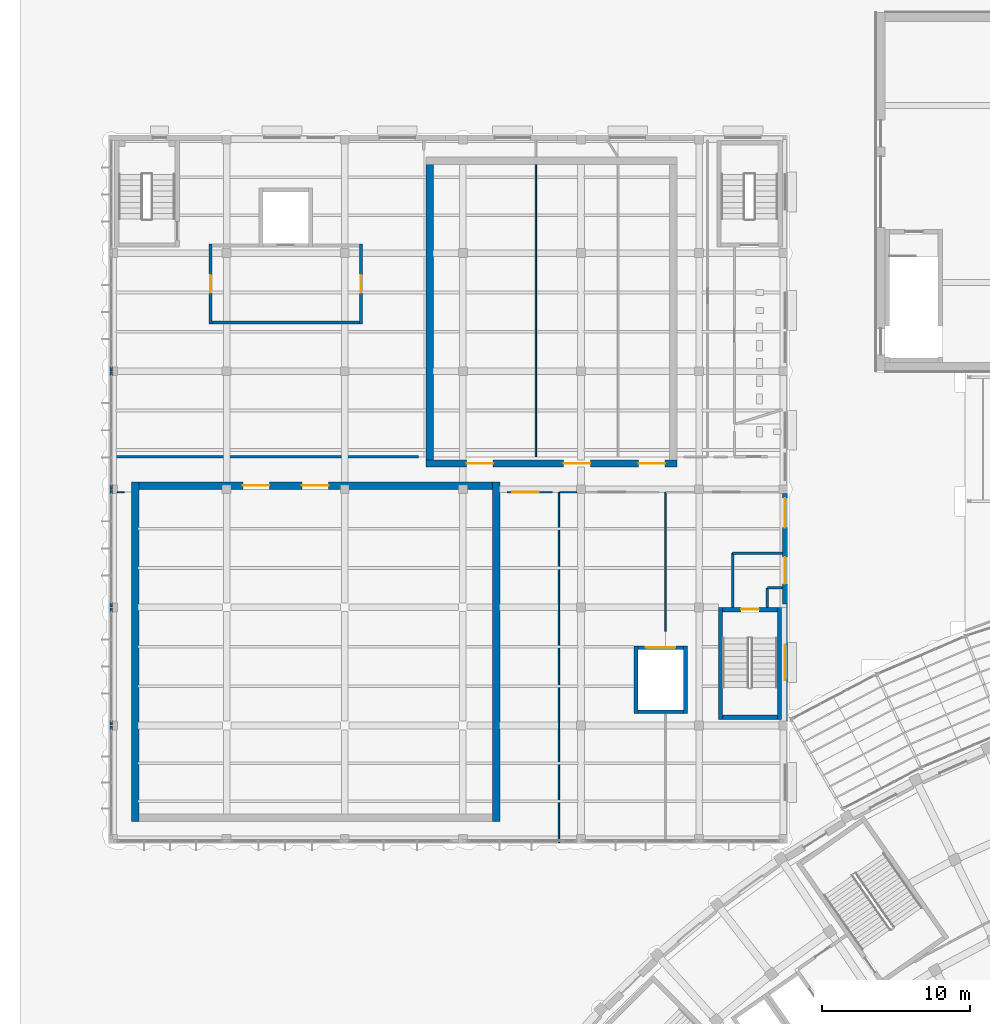
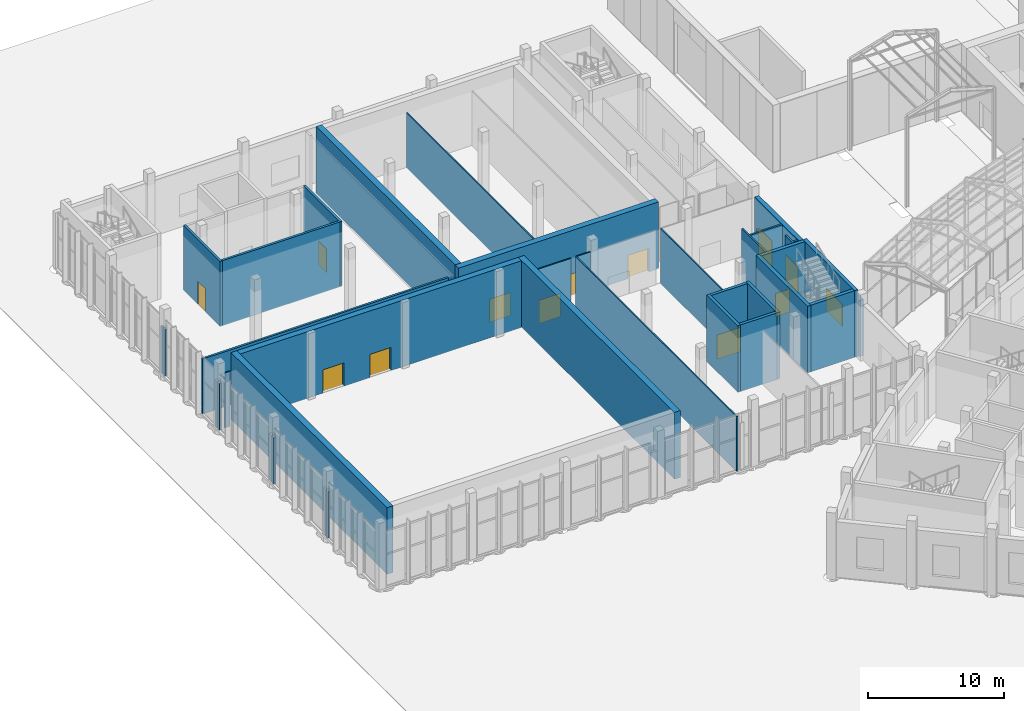
# One storey, part 94 of 155: 37 walls, 12 doors, 1 window, 13 openings.
"""IFC4 building model written with IfcOpenShell, lengths in metres."""

from ifc_helpers import new_model, si_unit, direction, frame, frame_2d, origin, place, context, subcontext, project, spatial, rectangle, extrude, material, layer, layer_set, type_object, element, fill, save


model = new_model("IFC4")

# Units and contexts
model_context = context("Model", 3, precision=1e-05, world=origin(), true_north=direction((0.0, 1.0)))
body_context = subcontext(model_context, "Body", "Model", "MODEL_VIEW")
ifc_project = project(units=[si_unit("LENGTHUNIT", "METRE"), si_unit("AREAUNIT", "SQUARE_METRE"), si_unit("VOLUMEUNIT", "CUBIC_METRE"), si_unit("PLANEANGLEUNIT", "RADIAN"), si_unit("MASSUNIT", "GRAM", prefix="KILO")], contexts=[model_context])

# Site, building, storey
site_placement = place(None, origin())
site = spatial("IfcSite", under=ifc_project, at=site_placement, CompositionType="ELEMENT")
building_placement = place(site_placement, origin())
building = spatial("IfcBuilding", under=site, at=building_placement, Name="Lunette Opera House", CompositionType="ELEMENT")
storey_placement = place(building_placement, origin())
storey = spatial("IfcBuildingStorey", under=building, at=storey_placement, Name="L00", CompositionType="ELEMENT", Elevation=0.0)

# Walls
ifc_material_1 = material(Name="Plastered clay blockwork", Category="masonry")
ifc_layer_1 = layer(ifc_material_1, 0.175048828125)
ifc_layer_set_1 = layer_set([ifc_layer_1], Name="Plastered clay blockwork")
wall_type_1 = type_object("IfcWallType", Name="ACOUSTIC BLOCK PARTITION 175", PredefinedType="PARTITIONING", material=ifc_layer_set_1)
wall_1_placement = place(storey_placement, frame((29.0, 90.199951171875, 0.0), z_axis=(0.0, 0.0, 1.0), x_axis=(-1.0, 0.0, 0.0)))
element("IfcWall", 1, at=wall_1_placement, inside=storey, type_object=wall_type_1, Name="Partition Corridor L00 Rehearsal", PredefinedType="PARTITIONING", context=body_context, shape_type="SweptSolid", body=[
    extrude(rectangle(XDim=20.949951171875, YDim=0.175048828125, at=frame_2d((10.47509765625, 0.0))), origin(), (0.0, 0.0, 1.0), 4.949951171875),
])
ifc_material_2 = material(Name="Plastered clay blockwork", Category="masonry")
ifc_layer_2 = layer(ifc_material_2, 0.14990234375)
ifc_layer_set_2 = layer_set([ifc_layer_2], Name="Plastered clay blockwork")
wall_type_2 = type_object("IfcWallType", Name="BLOCK PARTITION 150", PredefinedType="PARTITIONING", material=ifc_layer_set_2)
wall_2_placement = place(storey_placement, frame((50.27490234375, 80.0, 0.0), z_axis=(0.0, 0.0, 1.0), x_axis=(0.0, 1.0, 0.0)))
element("IfcWall", 2, at=wall_2_placement, inside=storey, type_object=wall_type_2, Name="Exit passage ST16 wall 1", PredefinedType="PARTITIONING", context=body_context, shape_type="SweptSolid", body=[
    extrude(rectangle(XDim=3.675048828125, YDim=0.14990234375, at=frame_2d((1.83740234375, 0.0))), origin(), (0.0, 0.0, 1.0), 5.85009765625),
])
wall_3_placement = place(storey_placement, frame((50.27490234375, 83.675048828125, 0.0), z_axis=(0.0, 0.0, 1.0), x_axis=(1.0, 0.0, 0.0)))
element("IfcWall", 3, at=wall_3_placement, inside=storey, type_object=wall_type_2, Name="Exit passage ST16 wall 2", PredefinedType="PARTITIONING", context=body_context, shape_type="SweptSolid", body=[
    extrude(rectangle(XDim=3.361083984375, YDim=0.14990234375, at=frame_2d((1.6806640625, 0.0))), origin(), (0.0, 0.0, 1.0), 5.050048828125),
])
wall_4_placement = place(storey_placement, frame((52.625, 80.0, 0.0), z_axis=(0.0, 0.0, 1.0), x_axis=(0.0, 1.0, 0.0)))
element("IfcWall", 4, at=wall_4_placement, inside=storey, type_object=wall_type_2, Name="Exit passage ST16 wall 3", PredefinedType="PARTITIONING", context=body_context, shape_type="SweptSolid", body=[
    extrude(rectangle(XDim=1.324951171875, YDim=0.14990234375, at=frame_2d((0.66259765625, 0.0))), origin(), (0.0, 0.0, 1.0), 5.85009765625),
])
wall_5_placement = place(storey_placement, frame((52.625, 81.324951171875, 0.0), z_axis=(0.0, 0.0, 1.0), x_axis=(1.0, 0.0, 0.0)))
element("IfcWall", 5, at=wall_5_placement, inside=storey, type_object=wall_type_2, Name="Exit passage ST16 wall 4", PredefinedType="PARTITIONING", context=body_context, shape_type="SweptSolid", body=[
    extrude(rectangle(XDim=1.010986328125, YDim=0.14990234375, at=frame_2d((0.50537109375, 0.0))), origin(), (0.0, 0.0, 1.0), 5.050048828125),
])
ifc_material_3 = material(Name="Insulated aluminium sandwich panel", Category="aluminium")
ifc_layer_3 = layer(ifc_material_3, 0.179931640625)
ifc_layer_set_3 = layer_set([ifc_layer_3], Name="Insulated aluminium sandwich panel")
wall_type_3 = type_object("IfcWallType", Name="CURTAIN WALL INFILL 180", PredefinedType="SOLIDWALL", material=ifc_layer_set_3)
for number, where, z_axis, x_axis, name in (
    (6, (8.181884765625, 96.330078125, 0.0), (0.0, 0.0, 1.0), (0.0, -1.0, 0.0), "Curtain Wall Infill 180 IN14 L00"),
    (7, (8.181884765625, 88.330078125, 0.0), (0.0, 0.0, 1.0), (0.0, -1.0, 0.0), "Curtain Wall Infill 180 IN16 L00"),
    (8, (8.181884765625, 95.669921875, 0.0), (0.0, 0.0, 1.0), (0.0, 1.0, 0.0), "Curtain Wall Infill 180 IN17 L00"),
    (9, (8.181884765625, 80.330078125, 0.0), (0.0, 0.0, 1.0), (0.0, -1.0, 0.0), "Curtain Wall Infill 180 IN18 L00"),
    (10, (8.181884765625, 87.669921875, 0.0), (0.0, 0.0, 1.0), (0.0, 1.0, 0.0), "Curtain Wall Infill 180 IN19 L00"),
    (11, (8.181884765625, 72.330078125, 0.0), (0.0, 0.0, 1.0), (0.0, -1.0, 0.0), "Curtain Wall Infill 180 IN20 L00"),
    (12, (8.181884765625, 79.669921875, 0.0), (0.0, 0.0, 1.0), (0.0, 1.0, 0.0), "Curtain Wall Infill 180 IN21 L00"),
    (13, (8.181884765625, 71.669921875, 0.0), (0.0, 0.0, 1.0), (0.0, 1.0, 0.0), "Curtain Wall Infill 180 IN23 L00"),
):
    element("IfcWall", number, at=place(storey_placement, frame(where, z_axis=z_axis, x_axis=x_axis)), inside=storey, type_object=wall_type_3, Name=name, PredefinedType="SOLIDWALL", context=body_context, shape_type="SweptSolid", body=[
        extrude(rectangle(XDim=0.30517578125, YDim=0.179931640625, at=frame_2d((0.152587890625, 0.0))), origin(), (0.0, 0.0, 1.0), 4.199951171875),
    ])

# Wall, opening, door
ifc_material_4 = material(Name="Concrete C35/45", Category="concrete")
ifc_layer_4 = layer(ifc_material_4, 0.199951171875)
ifc_layer_set_4 = layer_set([ifc_layer_4], Name="Concrete C35/45")
wall_type_4 = type_object("IfcWallType", Name="LOBBY WALL 200", PredefinedType="PARTITIONING", material=ifc_layer_set_4)
wall_6_placement = place(storey_placement, frame((25.10009765625, 99.199951171875, 0.0), z_axis=(0.0, 0.0, 1.0), x_axis=(0.0, 1.0, 0.0)))
wall_6 = element("IfcWall", 14, at=wall_6_placement, inside=storey, type_object=wall_type_4, Name="LL-R lobby wall 1a", PredefinedType="PARTITIONING", context=body_context, shape_type="SweptSolid", body=[
    extrude(rectangle(XDim=5.400146484375, YDim=0.199951171875, at=frame_2d((2.7001953125, 0.0))), origin(), (0.0, 0.0, 1.0), 5.85009765625),
])
opening_1_placement = place(wall_6_placement, frame((2.10009765625, 0.0, 0.0)))
opening_1 = element("IfcOpeningElement", 15, at=opening_1_placement, cuts=wall_6, Name="Opening RW-D7019", PredefinedType="OPENING", context=body_context, shape_type="SweptSolid", body=[
    extrude(rectangle(XDim=1.199951171875, YDim=2.10009765625, at=frame_2d((0.60009765625, 1.050048828125))), frame((0.0, 0.112060546875, 0.0), z_axis=(0.0, -1.0, 0.0), x_axis=(1.0, 0.0, 0.0)), (0.0, 0.0, 1.0), 0.223876953125),
])
ifc_material_5 = material(Name="Steel", Category="steel")
door_type_1 = type_object("IfcDoorType", Name="FIRE DOOR 1200 X 2100", OperationType="SINGLE_SWING_LEFT", PredefinedType="DOOR", material=ifc_material_5)
door_1_placement = place(opening_1_placement, origin())
door_1 = element("IfcDoor", 16, at=door_1_placement, inside=storey, type_object=door_type_1, Name="LL-R lobby door", OperationType="SINGLE_SWING_LEFT", OverallHeight=2.10009765625, OverallWidth=1.199951171875, PredefinedType="DOOR", context=body_context, shape_type="SweptSolid", body=[
    extrude(rectangle(XDim=1.199951171875, YDim=2.10009765625, at=frame_2d((0.60009765625, 1.050048828125))), frame((0.0, 0.02490234375, 0.0), z_axis=(0.0, -1.0, 0.0), x_axis=(1.0, 0.0, 0.0)), (0.0, 0.0, 1.0), 0.050048828125),
])
fill(opening_1, door_1)

wall_7_placement = place(storey_placement, frame((14.89990234375, 104.60009765625, 0.0), z_axis=(0.0, 0.0, 1.0), x_axis=(0.0, -1.0, 0.0)))
wall_7 = element("IfcWall", 17, at=wall_7_placement, inside=storey, type_object=wall_type_4, Name="LL-R lobby wall 3a", PredefinedType="PARTITIONING", context=body_context, shape_type="SweptSolid", body=[
    extrude(rectangle(XDim=5.400146484375, YDim=0.199951171875, at=frame_2d((2.7001953125, 0.0))), origin(), (0.0, 0.0, 1.0), 5.85009765625),
])
opening_2_placement = place(wall_7_placement, frame((2.10009765625, 0.0, 0.0)))
opening_2 = element("IfcOpeningElement", 18, at=opening_2_placement, cuts=wall_7, Name="Opening RW-D7020", PredefinedType="OPENING", context=body_context, shape_type="SweptSolid", body=[
    extrude(rectangle(XDim=1.199951171875, YDim=2.10009765625, at=frame_2d((0.60009765625, 1.050048828125))), frame((0.0, 0.112060546875, 0.0), z_axis=(0.0, -1.0, 0.0), x_axis=(1.0, 0.0, 0.0)), (0.0, 0.0, 1.0), 0.223876953125),
])
door_2_placement = place(opening_2_placement, origin())
door_2 = element("IfcDoor", 19, at=door_2_placement, inside=storey, type_object=door_type_1, Name="LL-R lobby door", OperationType="SINGLE_SWING_LEFT", OverallHeight=2.10009765625, OverallWidth=1.199951171875, PredefinedType="DOOR", context=body_context, shape_type="SweptSolid", body=[
    extrude(rectangle(XDim=1.199951171875, YDim=2.10009765625, at=frame_2d((0.60009765625, 1.050048828125))), frame((0.0, 0.02490234375, 0.0), z_axis=(0.0, -1.0, 0.0), x_axis=(1.0, 0.0, 0.0)), (0.0, 0.0, 1.0), 0.050048828125),
])
fill(opening_2, door_2)

# Walls
wall_8_placement = place(storey_placement, frame((15.0, 99.300048828125, 0.0), z_axis=(0.0, 0.0, 1.0), x_axis=(1.0, 0.0, 0.0)))
element("IfcWall", 20, at=wall_8_placement, inside=storey, type_object=wall_type_4, Name="LL-R lobby wall 4a", PredefinedType="PARTITIONING", context=body_context, shape_type="SweptSolid", body=[
    extrude(rectangle(XDim=10.0, YDim=0.199951171875, at=frame_2d((5.0, 0.0))), origin(), (0.0, 0.0, 1.0), 5.85009765625),
])
ifc_material_6 = material(Name="Concrete C35/45", Category="concrete")
ifc_layer_5 = layer(ifc_material_6, 0.25)
ifc_layer_set_5 = layer_set([ifc_layer_5], Name="Concrete C35/45")
wall_type_5 = type_object("IfcWallType", Name="RC LIFT SHAFT WALL 250", PredefinedType="SOLIDWALL", material=ifc_layer_set_5)
wall_9_placement = place(storey_placement, frame((47.074951171875, 72.800048828125, 0.0), z_axis=(0.0, 0.0, 1.0), x_axis=(0.0, 1.0, 0.0)))
element("IfcWall", 21, at=wall_9_placement, inside=storey, type_object=wall_type_5, Name="LG1 shaft wall 1", PredefinedType="SOLIDWALL", context=body_context, shape_type="SweptSolid", body=[
    extrude(rectangle(XDim=4.599853515625, YDim=0.25, at=frame_2d((2.2998046875, 0.0))), origin(), (0.0, 0.0, 1.0), 6.0),
])

# Wall, opening, door
wall_10_placement = place(storey_placement, frame((46.949951171875, 77.27490234375, 0.0), z_axis=(0.0, 0.0, 1.0), x_axis=(-1.0, 0.0, 0.0)))
wall_10 = element("IfcWall", 22, at=wall_10_placement, inside=storey, type_object=wall_type_5, Name="LG1 shaft wall 2", PredefinedType="SOLIDWALL", context=body_context, shape_type="SweptSolid", body=[
    extrude(rectangle(XDim=3.099853515625, YDim=0.25, at=frame_2d((1.5498046875, 0.0))), origin(), (0.0, 0.0, 1.0), 6.0),
])
opening_3_placement = place(wall_10_placement, frame((0.550048828125, 0.0, 0.0)))
opening_3 = element("IfcOpeningElement", 23, at=opening_3_placement, cuts=wall_10, Name="Opening RW-LD008", PredefinedType="OPENING", context=body_context, shape_type="SweptSolid", body=[
    extrude(rectangle(XDim=2.0, YDim=2.199951171875, at=frame_2d((1.0, 1.10009765625))), frame((0.0, 0.136962890625, 0.0), z_axis=(0.0, -1.0, 0.0), x_axis=(1.0, 0.0, 0.0)), (0.0, 0.0, 1.0), 0.27392578125),
])
ifc_material_7 = material(Name="Stainless steel", Category="steel")
door_type_2 = type_object("IfcDoorType", Name="LIFT LANDING DOOR 2000 X 2200", OperationType="DOUBLE_DOOR_SLIDING", PredefinedType="DOOR", material=ifc_material_7)
door_3_placement = place(opening_3_placement, origin())
door_3 = element("IfcDoor", 24, at=door_3_placement, inside=storey, type_object=door_type_2, Name="LG1 lift landing door", OperationType="DOUBLE_DOOR_SLIDING", OverallHeight=2.199951171875, OverallWidth=2.0, PredefinedType="DOOR", context=body_context, shape_type="SweptSolid", body=[
    extrude(rectangle(XDim=2.0, YDim=2.199951171875, at=frame_2d((1.0, 1.10009765625))), frame((0.0, 0.02490234375, 0.0), z_axis=(0.0, -1.0, 0.0), x_axis=(1.0, 0.0, 0.0)), (0.0, 0.0, 1.0), 0.050048828125),
])
fill(opening_3, door_3)

# Walls
wall_11_placement = place(storey_placement, frame((43.72509765625, 77.39990234375, 0.0), z_axis=(0.0, 0.0, 1.0), x_axis=(0.0, -1.0, 0.0)))
element("IfcWall", 25, at=wall_11_placement, inside=storey, type_object=wall_type_5, Name="LG1 shaft wall 3", PredefinedType="SOLIDWALL", context=body_context, shape_type="SweptSolid", body=[
    extrude(rectangle(XDim=4.599853515625, YDim=0.25, at=frame_2d((2.2998046875, 0.0))), origin(), (0.0, 0.0, 1.0), 6.0),
])
wall_12_placement = place(storey_placement, frame((43.85009765625, 72.925048828125, 0.0), z_axis=(0.0, 0.0, 1.0), x_axis=(1.0, 0.0, 0.0)))
element("IfcWall", 26, at=wall_12_placement, inside=storey, type_object=wall_type_5, Name="LG1 shaft wall 4", PredefinedType="SOLIDWALL", context=body_context, shape_type="SweptSolid", body=[
    extrude(rectangle(XDim=3.099853515625, YDim=0.25, at=frame_2d((1.5498046875, 0.0))), origin(), (0.0, 0.0, 1.0), 6.0),
])
ifc_material_8 = material(Name="Concrete C35/45", Category="concrete")
ifc_layer_6 = layer(ifc_material_8, 0.300048828125)
ifc_layer_set_6 = layer_set([ifc_layer_6], Name="Concrete C35/45")
wall_type_6 = type_object("IfcWallType", Name="RC STAIR ENCLOSURE WALL 300", PredefinedType="SOLIDWALL", material=ifc_layer_set_6)
wall_13_placement = place(storey_placement, frame((53.449951171875, 72.39990234375, 0.0), z_axis=(0.0, 0.0, 1.0), x_axis=(0.0, 1.0, 0.0)))
element("IfcWall", 27, at=wall_13_placement, inside=storey, type_object=wall_type_6, Name="ST16 enclosure wall 1", PredefinedType="SOLIDWALL", context=body_context, shape_type="SweptSolid", body=[
    extrude(rectangle(XDim=7.60009765625, YDim=0.300048828125, at=frame_2d((3.800048828125, 0.0))), origin(), (0.0, 0.0, 1.0), 6.0),
])

# Wall, opening, door
wall_14_placement = place(storey_placement, frame((53.300048828125, 79.85009765625, 0.0), z_axis=(0.0, 0.0, 1.0), x_axis=(-1.0, 0.0, 0.0)))
wall_14 = element("IfcWall", 28, at=wall_14_placement, inside=storey, type_object=wall_type_6, Name="ST16 enclosure wall 2", PredefinedType="SOLIDWALL", context=body_context, shape_type="SweptSolid", body=[
    extrude(rectangle(XDim=3.699951171875, YDim=0.300048828125, at=frame_2d((1.85009765625, 0.0))), origin(), (0.0, 0.0, 1.0), 6.0),
])
opening_4_placement = place(wall_14_placement, frame((1.25, 0.0, 0.0)))
opening_4 = element("IfcOpeningElement", 29, at=opening_4_placement, cuts=wall_14, Name="Opening RW-D7008", PredefinedType="OPENING", context=body_context, shape_type="SweptSolid", body=[
    extrude(rectangle(XDim=1.199951171875, YDim=2.10009765625, at=frame_2d((0.60009765625, 1.050048828125))), frame((0.0, 0.162109375, 0.0), z_axis=(0.0, -1.0, 0.0), x_axis=(1.0, 0.0, 0.0)), (0.0, 0.0, 1.0), 0.323974609375),
])
door_4_placement = place(opening_4_placement, origin())
door_4 = element("IfcDoor", 30, at=door_4_placement, inside=storey, type_object=door_type_1, Name="ST16 stair door", OperationType="SINGLE_SWING_LEFT", OverallHeight=2.10009765625, OverallWidth=1.199951171875, PredefinedType="DOOR", context=body_context, shape_type="SweptSolid", body=[
    extrude(rectangle(XDim=1.199951171875, YDim=2.10009765625, at=frame_2d((0.60009765625, 1.050048828125))), frame((0.0, 0.02490234375, 0.0), z_axis=(0.0, -1.0, 0.0), x_axis=(1.0, 0.0, 0.0)), (0.0, 0.0, 1.0), 0.050048828125),
])
fill(opening_4, door_4)

# Walls
wall_15_placement = place(storey_placement, frame((49.449951171875, 80.0, 0.0), z_axis=(0.0, 0.0, 1.0), x_axis=(0.0, -1.0, 0.0)))
element("IfcWall", 31, at=wall_15_placement, inside=storey, type_object=wall_type_6, Name="ST16 enclosure wall 3", PredefinedType="SOLIDWALL", context=body_context, shape_type="SweptSolid", body=[
    extrude(rectangle(XDim=7.60009765625, YDim=0.300048828125, at=frame_2d((3.800048828125, 0.0))), origin(), (0.0, 0.0, 1.0), 6.0),
])
wall_16_placement = place(storey_placement, frame((49.60009765625, 72.550048828125, 0.0), z_axis=(0.0, 0.0, 1.0), x_axis=(1.0, 0.0, 0.0)))
element("IfcWall", 32, at=wall_16_placement, inside=storey, type_object=wall_type_6, Name="ST16 enclosure wall 4", PredefinedType="SOLIDWALL", context=body_context, shape_type="SweptSolid", body=[
    extrude(rectangle(XDim=3.699951171875, YDim=0.300048828125, at=frame_2d((1.85009765625, 0.0))), origin(), (0.0, 0.0, 1.0), 6.0),
])

# Wall, openings, doors
ifc_material_9 = material(Name="Concrete C35/45", Category="concrete")
ifc_layer_7 = layer(ifc_material_9, 0.5)
ifc_layer_set_7 = layer_set([ifc_layer_7], Name="Concrete C35/45")
wall_type_7 = type_object("IfcWallType", Name="RC WALL 500", PredefinedType="SHEAR", material=ifc_layer_set_7)
wall_17_placement = place(storey_placement, frame((29.5, 89.75, 0.0), z_axis=(0.0, 0.0, 1.0), x_axis=(1.0, 0.0, 0.0)))
wall_17 = element("IfcWall", 33, at=wall_17_placement, inside=storey, type_object=wall_type_7, Name="wall-RW-L00-OH-S-1", PredefinedType="SHEAR", context=body_context, shape_type="SweptSolid", body=[
    extrude(rectangle(XDim=17.0, YDim=0.5, at=frame_2d((8.5, 0.0))), origin(), (0.0, 0.0, 1.0), 6.0),
])
opening_5_placement = place(wall_17_placement, frame((2.75390625, 0.0, 0.0)))
opening_5 = element("IfcOpeningElement", 34, at=opening_5_placement, cuts=wall_17, Name="Opening RW-D3011", PredefinedType="OPENING", context=body_context, shape_type="SweptSolid", body=[
    extrude(rectangle(XDim=1.800048828125, YDim=2.10009765625, at=frame_2d((0.89990234375, 1.050048828125))), frame((0.0, 0.261962890625, 0.0), z_axis=(0.0, -1.0, 0.0), x_axis=(1.0, 0.0, 0.0)), (0.0, 0.0, 1.0), 0.52392578125),
])
opening_6_placement = place(wall_17_placement, frame((9.330078125, 0.0, 0.0)))
opening_6 = element("IfcOpeningElement", 35, at=opening_6_placement, cuts=wall_17, Name="Opening RW-D3013", PredefinedType="OPENING", context=body_context, shape_type="SweptSolid", body=[
    extrude(rectangle(XDim=1.800048828125, YDim=2.10009765625, at=frame_2d((0.89990234375, 1.050048828125))), frame((0.0, 0.261962890625, 0.0), z_axis=(0.0, -1.0, 0.0), x_axis=(1.0, 0.0, 0.0)), (0.0, 0.0, 1.0), 0.52392578125),
])
opening_7_placement = place(wall_17_placement, frame((14.39794921875, 0.0, 0.0)))
opening_7 = element("IfcOpeningElement", 36, at=opening_7_placement, cuts=wall_17, Name="Opening RW-D3015", PredefinedType="OPENING", context=body_context, shape_type="SweptSolid", body=[
    extrude(rectangle(XDim=1.800048828125, YDim=2.10009765625, at=frame_2d((0.89990234375, 1.050048828125))), frame((0.0, 0.261962890625, 0.0), z_axis=(0.0, -1.0, 0.0), x_axis=(1.0, 0.0, 0.0)), (0.0, 0.0, 1.0), 0.52392578125),
])
ifc_material_10 = material(Name="Timber", Category="wood")
door_type_3 = type_object("IfcDoorType", Name="DOUBLE FLUSH DOOR 1800 X 2100", OperationType="DOUBLE_DOOR_SINGLE_SWING", PredefinedType="DOOR", material=ifc_material_10)
door_5_placement = place(opening_5_placement, origin())
door_5 = element("IfcDoor", 37, at=door_5_placement, inside=storey, type_object=door_type_3, Name="Chorus Rehearsal Room door", OperationType="DOUBLE_DOOR_SINGLE_SWING", OverallHeight=2.10009765625, OverallWidth=1.800048828125, PredefinedType="DOOR", context=body_context, shape_type="SweptSolid", body=[
    extrude(rectangle(XDim=1.800048828125, YDim=2.10009765625, at=frame_2d((0.89990234375, 1.050048828125))), frame((0.0, 0.02490234375, 0.0), z_axis=(0.0, -1.0, 0.0), x_axis=(1.0, 0.0, 0.0)), (0.0, 0.0, 1.0), 0.050048828125),
])
fill(opening_5, door_5)
door_6_placement = place(opening_6_placement, origin())
door_6 = element("IfcDoor", 38, at=door_6_placement, inside=storey, type_object=door_type_3, Name="Rehearsal Foyer door", OperationType="DOUBLE_DOOR_SINGLE_SWING", OverallHeight=2.10009765625, OverallWidth=1.800048828125, PredefinedType="DOOR", context=body_context, shape_type="SweptSolid", body=[
    extrude(rectangle(XDim=1.800048828125, YDim=2.10009765625, at=frame_2d((0.89990234375, 1.050048828125))), frame((0.0, 0.02490234375, 0.0), z_axis=(0.0, -1.0, 0.0), x_axis=(1.0, 0.0, 0.0)), (0.0, 0.0, 1.0), 0.050048828125),
])
fill(opening_6, door_6)
door_7_placement = place(opening_7_placement, origin())
door_7 = element("IfcDoor", 39, at=door_7_placement, inside=storey, type_object=door_type_3, Name="Chorus Dressing Rooms door", OperationType="DOUBLE_DOOR_SINGLE_SWING", OverallHeight=2.10009765625, OverallWidth=1.800048828125, PredefinedType="DOOR", context=body_context, shape_type="SweptSolid", body=[
    extrude(rectangle(XDim=1.800048828125, YDim=2.10009765625, at=frame_2d((0.89990234375, 1.050048828125))), frame((0.0, 0.02490234375, 0.0), z_axis=(0.0, -1.0, 0.0), x_axis=(1.0, 0.0, 0.0)), (0.0, 0.0, 1.0), 0.050048828125),
])
fill(opening_7, door_7)

# Wall
wall_18_placement = place(storey_placement, frame((29.75, 89.5, 0.0), z_axis=(0.0, 0.0, 1.0), x_axis=(0.0, 1.0, 0.0)))
element("IfcWall", 40, at=wall_18_placement, inside=storey, type_object=wall_type_7, Name="wall-RW-L00-OH-W-1", PredefinedType="SHEAR", context=body_context, shape_type="SweptSolid", body=[
    extrude(rectangle(XDim=21.0, YDim=0.5, at=frame_2d((10.5, 0.0))), origin(), (0.0, 0.0, 1.0), 6.0),
])

# Wall, openings, doors
wall_19_placement = place(storey_placement, frame((9.56005859375, 88.25, 0.0), z_axis=(0.0, 0.0, 1.0), x_axis=(1.0, 0.0, 0.0)))
wall_19 = element("IfcWall", 41, at=wall_19_placement, inside=storey, type_object=wall_type_7, Name="wall-RW-L00-HW-N-1", PredefinedType="SHEAR", context=body_context, shape_type="SweptSolid", body=[
    extrude(rectangle(XDim=24.93994140625, YDim=0.5, at=frame_2d((12.469970703125, 0.0))), origin(), (0.0, 0.0, 1.0), 6.0),
])
opening_8_placement = place(wall_19_placement, frame((11.5400390625, 0.0, 0.0)))
opening_8 = element("IfcOpeningElement", 42, at=opening_8_placement, cuts=wall_19, Name="Opening RW-D3009", PredefinedType="OPENING", context=body_context, shape_type="SweptSolid", body=[
    extrude(rectangle(XDim=1.800048828125, YDim=2.10009765625, at=frame_2d((0.89990234375, 1.050048828125))), frame((0.0, 0.261962890625, 0.0), z_axis=(0.0, -1.0, 0.0), x_axis=(1.0, 0.0, 0.0)), (0.0, 0.0, 1.0), 0.52392578125),
])
opening_9_placement = place(wall_19_placement, frame((7.5400390625, 0.0, 0.0)))
opening_9 = element("IfcOpeningElement", 43, at=opening_9_placement, cuts=wall_19, Name="Opening RW-D3010", PredefinedType="OPENING", context=body_context, shape_type="SweptSolid", body=[
    extrude(rectangle(XDim=1.800048828125, YDim=2.10009765625, at=frame_2d((0.89990234375, 1.050048828125))), frame((0.0, 0.261962890625, 0.0), z_axis=(0.0, -1.0, 0.0), x_axis=(1.0, 0.0, 0.0)), (0.0, 0.0, 1.0), 0.52392578125),
])
door_8_placement = place(opening_8_placement, origin())
door_8 = element("IfcDoor", 44, at=door_8_placement, inside=storey, type_object=door_type_3, Name="Rehearsal Stage door", OperationType="DOUBLE_DOOR_SINGLE_SWING", OverallHeight=2.10009765625, OverallWidth=1.800048828125, PredefinedType="DOOR", context=body_context, shape_type="SweptSolid", body=[
    extrude(rectangle(XDim=1.800048828125, YDim=2.10009765625, at=frame_2d((0.89990234375, 1.050048828125))), frame((0.0, 0.02490234375, 0.0), z_axis=(0.0, -1.0, 0.0), x_axis=(1.0, 0.0, 0.0)), (0.0, 0.0, 1.0), 0.050048828125),
])
fill(opening_8, door_8)
door_9_placement = place(opening_9_placement, origin())
door_9 = element("IfcDoor", 45, at=door_9_placement, inside=storey, type_object=door_type_3, Name="Rehearsal Stage door", OperationType="DOUBLE_DOOR_SINGLE_SWING", OverallHeight=2.10009765625, OverallWidth=1.800048828125, PredefinedType="DOOR", context=body_context, shape_type="SweptSolid", body=[
    extrude(rectangle(XDim=1.800048828125, YDim=2.10009765625, at=frame_2d((0.89990234375, 1.050048828125))), frame((0.0, 0.02490234375, 0.0), z_axis=(0.0, -1.0, 0.0), x_axis=(1.0, 0.0, 0.0)), (0.0, 0.0, 1.0), 0.050048828125),
])
fill(opening_9, door_9)

# Walls
for number, where, z_axis, x_axis, name in (
    (46, (9.81005859375, 65.5, 0.0), (0.0, 0.0, 1.0), (0.0, 1.0, 0.0), "wall-RW-L00-HW-W-1"),
    (47, (34.25, 65.5, 0.0), (0.0, 0.0, 1.0), (0.0, 1.0, 0.0), "wall-RW-L00-HW-E-1"),
):
    element("IfcWall", number, at=place(storey_placement, frame(where, z_axis=z_axis, x_axis=x_axis)), inside=storey, type_object=wall_type_7, Name=name, PredefinedType="SHEAR", context=body_context, shape_type="SweptSolid", body=[
        extrude(rectangle(XDim=23.0, YDim=0.5, at=frame_2d((11.5, 0.0))), origin(), (0.0, 0.0, 1.0), 6.0),
    ])

# Wall, opening, window
ifc_material_11 = material(Name="Clinker brick", Category="masonry")
ifc_layer_8 = layer(ifc_material_11, 0.364990234375)
ifc_layer_set_8 = layer_set([ifc_layer_8], Name="Clinker brick")
wall_type_8 = type_object("IfcWallType", Name="REHEARSAL BRICK WALL 365", PredefinedType="SOLIDWALL", material=ifc_layer_set_8)
wall_20_placement = place(storey_placement, frame((53.818115234375, 72.303955078125, 0.0), z_axis=(0.0, 0.0, 1.0), x_axis=(0.0, 1.0, 0.0)))
wall_20 = element("IfcWall", 48, at=wall_20_placement, inside=storey, type_object=wall_type_8, Name="Rehearsal Brick Wall 365 F20 L00", PredefinedType="SOLIDWALL", context=body_context, shape_type="SweptSolid", body=[
    extrude(rectangle(XDim=7.93896484375, YDim=0.364990234375, at=frame_2d((3.969482421875, 0.0))), origin(), (0.0, 0.0, 1.0), 5.050048828125),
])
opening_10_placement = place(wall_20_placement, frame((2.76904296875, 0.0, 1.0)))
opening_10 = element("IfcOpeningElement", 49, at=opening_10_placement, cuts=wall_20, Name="Opening RW-N2008", PredefinedType="OPENING", context=body_context, shape_type="SweptSolid", body=[
    extrude(rectangle(XDim=2.39990234375, YDim=2.0, at=frame_2d((1.199951171875, 1.0))), frame((0.0, 0.194580078125, 0.0), z_axis=(0.0, -1.0, 0.0), x_axis=(1.0, 0.0, 0.0)), (0.0, 0.0, 1.0), 0.388916015625),
])
ifc_material_12 = material(Name="Aluminium", Category="aluminium")
window_type = type_object("IfcWindowType", Name="REHEARSAL WINDOW 2400 X 2000", PartitioningType="DOUBLE_PANEL_VERTICAL", PredefinedType="WINDOW", material=ifc_material_12)
window_placement = place(opening_10_placement, origin())
window = element("IfcWindow", 50, at=window_placement, inside=storey, type_object=window_type, Name="Rehearsal Window 2400 X 2000 F20 L00", OverallHeight=2.0, OverallWidth=2.39990234375, PartitioningType="DOUBLE_PANEL_VERTICAL", PredefinedType="WINDOW", context=body_context, shape_type="SweptSolid", body=[
    extrude(rectangle(XDim=2.39990234375, YDim=2.0, at=frame_2d((1.199951171875, 1.0))), frame((0.0, 0.030029296875, 0.0), z_axis=(0.0, -1.0, 0.0), x_axis=(1.0, 0.0, 0.0)), (0.0, 0.0, 1.0), 0.06005859375),
])
fill(opening_10, window)

# Wall, openings, doors
wall_21_placement = place(storey_placement, frame((53.818115234375, 80.242919921875, 0.0), z_axis=(0.0, 0.0, 1.0), x_axis=(0.0, 1.0, 0.0)))
wall_21 = element("IfcWall", 51, at=wall_21_placement, inside=storey, type_object=wall_type_8, Name="Rehearsal Brick Wall 365 F21 L00", PredefinedType="SOLIDWALL", context=body_context, shape_type="SweptSolid", body=[
    extrude(rectangle(XDim=7.45703125, YDim=0.364990234375, at=frame_2d((3.728515625, 0.0))), origin(), (0.0, 0.0, 1.0), 5.050048828125),
])
opening_11_placement = place(wall_21_placement, frame((5.156982421875, 0.0, 0.0)))
opening_11 = element("IfcOpeningElement", 52, at=opening_11_placement, cuts=wall_21, Name="Opening RW-D2001", PredefinedType="OPENING", context=body_context, shape_type="SweptSolid", body=[
    extrude(rectangle(XDim=2.0, YDim=2.39990234375, at=frame_2d((1.0, 1.199951171875))), frame((0.0, 0.194580078125, 0.0), z_axis=(0.0, -1.0, 0.0), x_axis=(1.0, 0.0, 0.0)), (0.0, 0.0, 1.0), 0.388916015625),
])
opening_12_placement = place(wall_21_placement, frame((1.35693359375, 0.0, 0.0)))
opening_12 = element("IfcOpeningElement", 53, at=opening_12_placement, cuts=wall_21, Name="Opening RW-D2006", PredefinedType="OPENING", context=body_context, shape_type="SweptSolid", body=[
    extrude(rectangle(XDim=1.800048828125, YDim=2.39990234375, at=frame_2d((0.89990234375, 1.199951171875))), frame((0.0, 0.194580078125, 0.0), z_axis=(0.0, -1.0, 0.0), x_axis=(1.0, 0.0, 0.0)), (0.0, 0.0, 1.0), 0.388916015625),
])
ifc_material_13 = material(Name="Aluminium", Category="aluminium")
door_type_4 = type_object("IfcDoorType", Name="ENTRANCE DOUBLE DOOR 2000 X 2400", OperationType="DOUBLE_DOOR_DOUBLE_SWING", PredefinedType="DOOR", material=ifc_material_13)
door_10_placement = place(opening_11_placement, origin())
door_10 = element("IfcDoor", 54, at=door_10_placement, inside=storey, type_object=door_type_4, Name="Entrance Double Door 2000 X 2400 RWEN1 L00", OperationType="DOUBLE_DOOR_DOUBLE_SWING", OverallHeight=2.39990234375, OverallWidth=2.0, PredefinedType="DOOR", context=body_context, shape_type="SweptSolid", body=[
    extrude(rectangle(XDim=2.0, YDim=2.39990234375, at=frame_2d((1.0, 1.199951171875))), frame((0.0, 0.02490234375, 0.0), z_axis=(0.0, -1.0, 0.0), x_axis=(1.0, 0.0, 0.0)), (0.0, 0.0, 1.0), 0.050048828125),
])
fill(opening_11, door_10)
ifc_material_14 = material(Name="Powder-coated steel", Category="steel")
door_type_5 = type_object("IfcDoorType", Name="EXIT DOUBLE DOOR 1800 X 2400", OperationType="DOUBLE_DOOR_DOUBLE_SWING", PredefinedType="DOOR", material=ifc_material_14)
door_11_placement = place(opening_12_placement, origin())
door_11 = element("IfcDoor", 55, at=door_11_placement, inside=storey, type_object=door_type_5, Name="Exit Double Door 1800 X 2400 ST16XP L00", OperationType="DOUBLE_DOOR_DOUBLE_SWING", OverallHeight=2.39990234375, OverallWidth=1.800048828125, PredefinedType="DOOR", context=body_context, shape_type="SweptSolid", body=[
    extrude(rectangle(XDim=1.800048828125, YDim=2.39990234375, at=frame_2d((0.89990234375, 1.199951171875))), frame((0.0, 0.02490234375, 0.0), z_axis=(0.0, -1.0, 0.0), x_axis=(1.0, 0.0, 0.0)), (0.0, 0.0, 1.0), 0.050048828125),
])
fill(opening_12, door_11)

# Walls
ifc_material_15 = material(Name="Gypsum board on steel studs", Category="steel")
ifc_layer_9 = layer(ifc_material_15, 0.10009765625)
ifc_layer_set_9 = layer_set([ifc_layer_9], Name="Gypsum board on steel studs")
wall_type_9 = type_object("IfcWallType", Name="STUD PARTITION 100", PredefinedType="PARTITIONING", material=ifc_layer_set_9)
wall_22_placement = place(storey_placement, frame((38.498046875, 87.800048828125, 0.0), z_axis=(0.0, 0.0, 1.0), x_axis=(0.0, -1.0, 0.0)))
element("IfcWall", 56, at=wall_22_placement, inside=storey, type_object=wall_type_9, Name="Partition Principals' Dressing Rooms", PredefinedType="PARTITIONING", context=body_context, shape_type="SweptSolid", body=[
    extrude(rectangle(XDim=23.75, YDim=0.10009765625, at=frame_2d((11.875, 0.0))), origin(), (0.0, 0.0, 1.0), 4.949951171875),
])
wall_23_placement = place(storey_placement, frame((36.947998046875, 109.9990234375, 0.0), z_axis=(0.0, 0.0, 1.0), x_axis=(0.0, -1.0, 0.0)))
element("IfcWall", 57, at=wall_23_placement, inside=storey, type_object=wall_type_9, Name="Partition Rehearsal Foyer", PredefinedType="PARTITIONING", context=body_context, shape_type="SweptSolid", body=[
    extrude(rectangle(XDim=19.799072265625, YDim=0.10009765625, at=frame_2d((9.8994140625, 0.0))), origin(), (0.0, 0.0, 1.0), 4.949951171875),
])
wall_24_placement = place(storey_placement, frame((45.718994140625, 87.800048828125, 0.0), z_axis=(0.0, 0.0, 1.0), x_axis=(0.0, -1.0, 0.0)))
element("IfcWall", 58, at=wall_24_placement, inside=storey, type_object=wall_type_9, Name="Partition Artists' Canteen", PredefinedType="PARTITIONING", context=body_context, shape_type="SweptSolid", body=[
    extrude(rectangle(XDim=9.399169921875, YDim=0.10009765625, at=frame_2d((4.69970703125, 0.0))), origin(), (0.0, 0.0, 1.0), 4.949951171875),
])
wall_25_placement = place(storey_placement, frame((38.548095703125, 87.800048828125, 0.0), z_axis=(0.0, 0.0, 1.0), x_axis=(1.0, 0.0, 0.0)))
element("IfcWall", 59, at=wall_25_placement, inside=storey, type_object=wall_type_9, Name="Partition Corridor L00 Rehearsal", PredefinedType="PARTITIONING", context=body_context, shape_type="SweptSolid", body=[
    extrude(rectangle(XDim=1.15185546875, YDim=0.10009765625, at=frame_2d((0.575927734375, 0.0))), origin(), (0.0, 0.0, 1.0), 4.949951171875),
])

# Wall, opening, door
wall_26_placement = place(storey_placement, frame((35.0, 87.800048828125, 0.0), z_axis=(0.0, 0.0, 1.0), x_axis=(1.0, 0.0, 0.0)))
wall_26 = element("IfcWall", 60, at=wall_26_placement, inside=storey, type_object=wall_type_9, Name="Partition Corridor L00 Rehearsal", PredefinedType="PARTITIONING", context=body_context, shape_type="SweptSolid", body=[
    extrude(rectangle(XDim=3.048095703125, YDim=0.10009765625, at=frame_2d((1.52392578125, 0.0))), origin(), (0.0, 0.0, 1.0), 4.949951171875),
])
opening_13_placement = place(wall_26_placement, frame((0.34912109375, 0.0, 0.0)))
opening_13 = element("IfcOpeningElement", 61, at=opening_13_placement, cuts=wall_26, Name="Opening RW-D3012", PredefinedType="OPENING", context=body_context, shape_type="SweptSolid", body=[
    extrude(rectangle(XDim=1.800048828125, YDim=2.10009765625, at=frame_2d((0.89990234375, 1.050048828125))), frame((0.0, 0.06201171875, 0.0), z_axis=(0.0, -1.0, 0.0), x_axis=(1.0, 0.0, 0.0)), (0.0, 0.0, 1.0), 0.1240234375),
])
door_12_placement = place(opening_13_placement, origin())
door_12 = element("IfcDoor", 62, at=door_12_placement, inside=storey, type_object=door_type_3, Name="Ballet Studio 1 door", OperationType="DOUBLE_DOOR_SINGLE_SWING", OverallHeight=2.10009765625, OverallWidth=1.800048828125, PredefinedType="DOOR", context=body_context, shape_type="SweptSolid", body=[
    extrude(rectangle(XDim=1.800048828125, YDim=2.10009765625, at=frame_2d((0.89990234375, 1.050048828125))), frame((0.0, 0.02490234375, 0.0), z_axis=(0.0, -1.0, 0.0), x_axis=(1.0, 0.0, 0.0)), (0.0, 0.0, 1.0), 0.050048828125),
])
fill(opening_13, door_12)

# Wall
wall_27_placement = place(storey_placement, frame((8.60107421875, 87.800048828125, 0.0), z_axis=(0.0, 0.0, 1.0), x_axis=(1.0, 0.0, 0.0)))
element("IfcWall", 63, at=wall_27_placement, inside=storey, type_object=wall_type_9, Name="Partition Corridor L00 Rehearsal", PredefinedType="PARTITIONING", context=body_context, shape_type="SweptSolid", body=[
    extrude(rectangle(XDim=0.458984375, YDim=0.10009765625, at=frame_2d((0.2294921875, 0.0))), origin(), (0.0, 0.0, 1.0), 4.949951171875),
])

save(model, "model.ifc")
